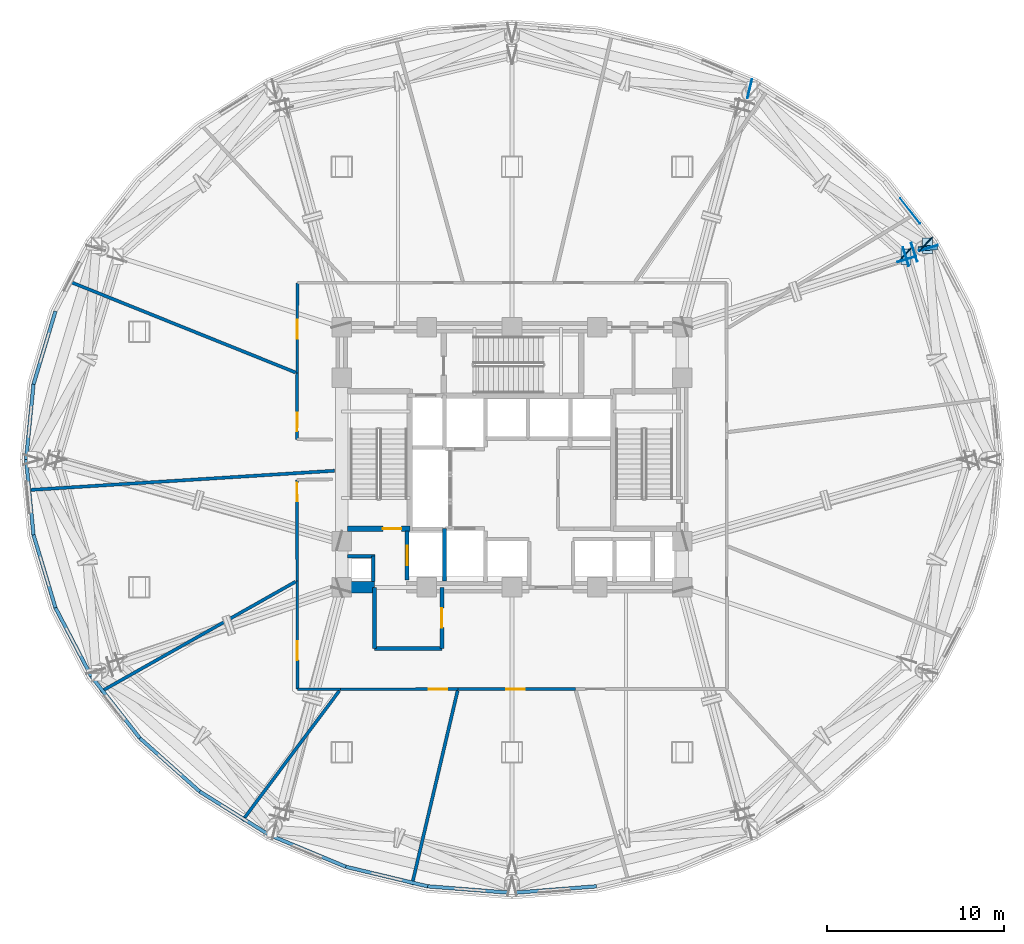
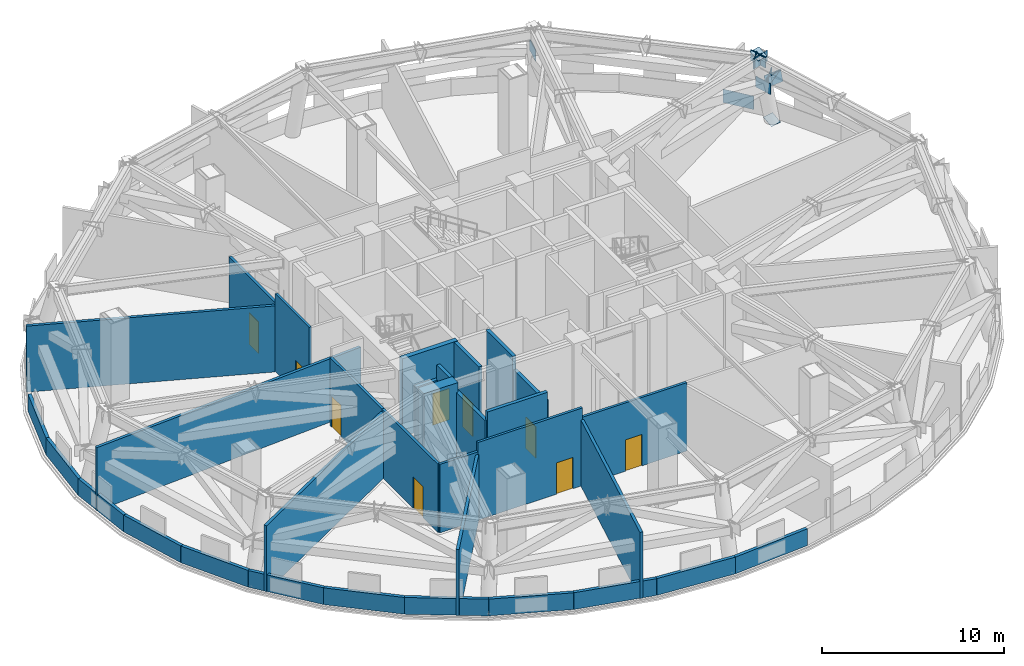
# One storey, part 6 of 14: 33 walls, 11 plates, 9 doors, 9 openings.
"""IFC4 building model written with IfcOpenShell, lengths in metres."""

from ifc_helpers import new_model, si_unit, direction, frame, frame_2d, origin, origin_2d, place, context, subcontext, project, spatial, polyline, rectangle, outline, extrude, material, layer, layer_set, type_object, element, fill, save


model = new_model("IFC4")

# Units and contexts
model_context = context("Model", 3, precision=1e-05, world=origin(), true_north=direction((0.0, 1.0)))
body_context = subcontext(model_context, "Body", "Model", "MODEL_VIEW")
ifc_project = project(units=[si_unit("LENGTHUNIT", "METRE"), si_unit("AREAUNIT", "SQUARE_METRE"), si_unit("VOLUMEUNIT", "CUBIC_METRE"), si_unit("PLANEANGLEUNIT", "RADIAN"), si_unit("MASSUNIT", "GRAM", prefix="KILO")], contexts=[model_context])

# Site, building, storey
site_placement = place(None, origin())
site = spatial("IfcSite", under=ifc_project, at=site_placement, CompositionType="ELEMENT")
building_placement = place(site_placement, origin())
building = spatial("IfcBuilding", under=site, at=building_placement, Name="Vantalir Tower", CompositionType="ELEMENT")
storey_placement = place(building_placement, frame((0.0, 0.0, 90.75)))
storey = spatial("IfcBuildingStorey", under=building, at=storey_placement, Name="L22", CompositionType="ELEMENT", Elevation=90.75)

# Plates
ifc_material_1 = material(Name="Steel S460", Category="steel")
ifc_layer_1 = layer(ifc_material_1, 0.044921875)
ifc_layer_set_1 = layer_set([ifc_layer_1], Name="Steel S460")
plate_type_1 = type_object("IfcPlateType", Name="PLT-BN-01", PredefinedType="USERDEFINED", material=ifc_layer_set_1)
for number, where, z_axis, x_axis, name in (
    (1, (54.965087890625, 36.9169921875, 2.4599609375), (0.0, 0.0, 1.0), (-0.288095989916, 0.957601535397, 0.0), "Node Cap Plate MEM-L22-BTCB-01 End"),
    (2, (53.7529296875, 36.2919921875, 4.56005859375), (0.0, 0.0, 1.0), (-0.288095989916, 0.957601535397, 0.0), "Node Cap Plate MEM-L22-BTCT-01 End"),
):
    element("IfcPlate", number, at=place(storey_placement, frame(where, z_axis=z_axis, x_axis=x_axis)), inside=storey, type_object=plate_type_1, Name=name, ObjectType="FLANGE_PLATE", PredefinedType="USERDEFINED", context=body_context, shape_type="SweptSolid", body=[
        extrude(rectangle(XDim=0.044921875, YDim=1.10009765625, at=origin_2d()), origin(), (0.0, 0.0, 1.0), 0.719970703125),
    ])
plate_1_placement = place(storey_placement, frame((54.398681640625, 36.739990234375, 2.52783203125), z_axis=(0.075545187489, -0.946474782726, 0.313812699409), x_axis=(0.996828791913, 0.079576116684, 3.5593745e-05)))
element("IfcPlate", 3, at=plate_1_placement, inside=storey, type_object=plate_type_1, Name="Node Cap Plate MEM-L22-BTDG-01B Start", ObjectType="FLANGE_PLATE", PredefinedType="USERDEFINED", context=body_context, shape_type="SweptSolid", body=[
    extrude(outline(polyline([(0.0, 0.0), (1.0999330884693599, 0.0), (1.100104069978027, 0.7199214944985355), (-5.295713274642987e-05, 0.7200039702137869), (0.0, 0.0)])), origin(), (0.0, 0.0, -1.0), 0.044921875),
])
for number, where, z_axis, x_axis, name in (
    (4, (54.824951171875, 37.135986328125, 2.4599609375), (0.0, 0.0, 1.0), (-0.746731058687, 0.665126097813, 0.0), "Node Cap Plate MEM-L22-BTCB-02 Start"),
    (5, (53.613037109375, 36.510986328125, 4.56005859375), (0.0, 0.0, 1.0), (-0.746765883584, 0.665086998155, 0.0), "Node Cap Plate MEM-L22-BTCT-02 Start"),
    (6, (44.89404296875, 45.89599609375, 2.4599609375), (0.0, 0.0, 1.0), (-0.972678718536, 0.232155358558, 0.0), "Node Cap Plate MEM-L22-BTCB-03 Start"),
    (7, (54.1650390625, 36.677978515625, 2.4599609375), (0.0, 0.0, 1.0), (0.95141722135, 0.307904645821, 0.0), "Node Cap Plate MEM-L22-ORCB-02 End"),
    (8, (53.693115234375, 36.43603515625, 4.56005859375), (0.0, 0.0, 1.0), (0.953385730985, 0.30175428407, 0.0), "Node Cap Plate MEM-L22-ORCT-02 End"),
):
    element("IfcPlate", number, at=place(storey_placement, frame(where, z_axis=z_axis, x_axis=x_axis)), inside=storey, type_object=plate_type_1, Name=name, ObjectType="FLANGE_PLATE", PredefinedType="USERDEFINED", context=body_context, shape_type="SweptSolid", body=[
        extrude(rectangle(XDim=0.044921875, YDim=1.10009765625, at=origin_2d()), origin(), (0.0, 0.0, 1.0), 0.719970703125),
    ])
ifc_layer_2 = layer(ifc_material_1, 0.035888671875)
ifc_layer_set_2 = layer_set([ifc_layer_2], Name="Steel S460")
plate_type_2 = type_object("IfcPlateType", Name="PLT-KN-Z2", PredefinedType="USERDEFINED", material=ifc_layer_set_2)
plate_2_placement = place(storey_placement, frame((53.425048828125, 36.8623046875, 5.234619140625), z_axis=(-0.224659802604, -0.115705110532, 0.967543435971), x_axis=(0.0, -0.992925328274, -0.118740441604)))
element("IfcPlate", 9, at=plate_2_placement, inside=storey, type_object=plate_type_2, Name="L22 Ring Column Top Cap RC02", ObjectType="FLANGE_PLATE", PredefinedType="USERDEFINED", context=body_context, shape_type="SweptSolid", body=[
    extrude(outline(polyline([(0.0, 0.0), (0.8800050436764012, 0.0), (0.8799127247386717, 0.5800122493759312), (-9.231893772955815e-05, 0.5800122493759311), (0.0, 0.0)])), origin(), (0.0, 0.0, -1.0), 0.035888671875),
])
plate_3_placement = place(storey_placement, frame((54.631591796875, 37.484375, 0.038818359375), z_axis=(-0.224683532148, -0.115720399506, 0.96753609727), x_axis=(-3.607661e-06, -0.992923273285, -0.118757624413)))
element("IfcPlate", 10, at=plate_3_placement, inside=storey, type_object=plate_type_2, Name="L22 Ring Column Base Cap RC02", ObjectType="FLANGE_PLATE", PredefinedType="USERDEFINED", context=body_context, shape_type="SweptSolid", body=[
    extrude(outline(polyline([(0.0, 0.0), (0.8797626306303892, -3.469446951953614e-18), (0.8799084306344302, 0.580018763732359), (-9.661290447560145e-05, 0.5800122485045601), (0.0, 0.0)])), origin(), (0.0, 0.0, -1.0), 0.035888671875),
])
ifc_material_2 = material(Name="Champagne-silver PVDF aluminium cassette", Category="aluminium")
ifc_layer_3 = layer(ifc_material_2, 0.02392578125)
ifc_layer_set_3 = layer_set([ifc_layer_3], Name="Champagne-silver PVDF aluminium cassette")
plate_type_3 = type_object("IfcPlateType", Name="PLT-SC-01", PredefinedType="SHEET", material=ifc_layer_set_3)
plate_4_placement = place(storey_placement, frame((53.93505859375, 39.012939453125, 0.10009765625), z_axis=(0.0, 0.0, 1.0), x_axis=(-0.617571381834, 0.786514836694, 0.0)))
element("IfcPlate", 11, at=plate_4_placement, inside=storey, type_object=plate_type_3, Name="L22 PVDF Aluminium Spandrel Cassette R04", PredefinedType="SHEET", context=body_context, shape_type="SweptSolid", body=[
    extrude(rectangle(XDim=1.800048828125, YDim=0.02392578125, at=origin_2d()), origin(), (0.0, 0.0, 1.0), 0.89990234375),
])

# Wall
ifc_material_3 = material(Name="Concrete C60/75", Category="concrete")
ifc_layer_4 = layer(ifc_material_3, 0.64990234375)
ifc_layer_set_4 = layer_set([ifc_layer_4], Name="Concrete C60/75")
wall_type_1 = type_object("IfcWallType", Name="WL-CORE-650", PredefinedType="SHEAR", material=ifc_layer_set_4)
wall_1_placement = place(storey_placement, frame((21.574951171875, 17.800048828125, 0.0), z_axis=(0.0, 0.0, 1.0), x_axis=(1.0, 0.0, 0.0)))
element("IfcWall", 12, at=wall_1_placement, inside=storey, type_object=wall_type_1, Name="L22 Core Shear Wall South-West", PredefinedType="SHEAR", context=body_context, shape_type="SweptSolid", body=[
    extrude(rectangle(XDim=2.175048828125, YDim=0.64990234375, at=frame_2d((1.08740234375, 0.0))), origin(), (0.0, 0.0, 1.0), 5.219970703125),
])

# Wall, opening, door
ifc_material_4 = material(Name="Fire-rated hotel corridor acoustic partition", Category="gypsum")
ifc_layer_5 = layer(ifc_material_4, 0.159912109375)
ifc_layer_set_5 = layer_set([ifc_layer_5], Name="Fire-rated hotel corridor acoustic partition")
wall_type_2 = type_object("IfcWallType", Name="WL-CORR-160", PredefinedType="PARTITIONING", material=ifc_layer_set_5)
wall_2_placement = place(storey_placement, frame((19.385986328125, 26.14208984375, 0.0), z_axis=(0.0, 0.0, 1.0), x_axis=(0.002161803006, 0.999997663301, 0.0)))
wall_2 = element("IfcWall", 13, at=wall_2_placement, inside=storey, type_object=wall_type_2, Name="L22 Corridor Partition 02", PredefinedType="PARTITIONING", context=body_context, shape_type="SweptSolid", body=[
    extrude(rectangle(XDim=3.726806640625, YDim=0.159912109375, at=frame_2d((1.86328125, 0.0))), origin(), (0.0, 0.0, 1.0), 5.199951171875),
])
opening_1_placement = place(wall_2_placement, frame((0.455078125, 0.0, 0.0)))
opening_1 = element("IfcOpeningElement", 14, at=opening_1_placement, cuts=wall_2, Name="Opening D-ST", PredefinedType="OPENING", context=body_context, shape_type="SweptSolid", body=[
    extrude(rectangle(XDim=1.050048828125, YDim=2.10009765625, at=frame_2d((0.52490234375, 1.050048828125))), frame((0.0, 0.08984375, 0.0), z_axis=(0.0, -1.0, 0.0), x_axis=(1.0, 0.0, 0.0)), (0.0, 0.0, 1.0), 0.179931640625),
])
ifc_material_5 = material(Name="Fire-rated steel door leaf", Category="steel")
door_type_1 = type_object("IfcDoorType", Name="DR-FIRE-STAIR-1050", OperationType="NOTDEFINED", PredefinedType="DOOR", material=ifc_material_5)
door_1_placement = place(opening_1_placement, origin())
door_1 = element("IfcDoor", 15, at=door_1_placement, inside=storey, type_object=door_type_1, Name="L22 Domestic Cold Water Booster Plant Room Door", OperationType="SINGLE_SWING_RIGHT", OverallHeight=2.10009765625, OverallWidth=1.050048828125, PredefinedType="DOOR", context=body_context, shape_type="SweptSolid", body=[
    extrude(rectangle(XDim=1.050048828125, YDim=2.10009765625, at=frame_2d((0.52490234375, 1.050048828125))), frame((0.0, 0.02490234375, 0.0), z_axis=(0.0, -1.0, 0.0), x_axis=(1.0, 0.0, 0.0)), (0.0, 0.0, 1.0), 0.050048828125),
])
fill(opening_1, door_1)

wall_3_placement = place(storey_placement, frame((19.39404296875, 29.868896484375, 0.0), z_axis=(0.0, 0.0, 1.0), x_axis=(0.002349775319, 0.999997239274, 0.0)))
wall_3 = element("IfcWall", 16, at=wall_3_placement, inside=storey, type_object=wall_type_2, Name="L22 Corridor Partition 03", PredefinedType="PARTITIONING", context=body_context, shape_type="SweptSolid", body=[
    extrude(rectangle(XDim=5.091064453125, YDim=0.159912109375, at=frame_2d((2.54541015625, 0.0))), origin(), (0.0, 0.0, 1.0), 4.577880859375),
])
opening_2_placement = place(wall_3_placement, frame((1.946044921875, 0.0, 0.0)))
opening_2 = element("IfcOpeningElement", 17, at=opening_2_placement, cuts=wall_3, Name="Opening D-ST", PredefinedType="OPENING", context=body_context, shape_type="SweptSolid", body=[
    extrude(rectangle(XDim=1.050048828125, YDim=2.10009765625, at=frame_2d((0.52490234375, 1.050048828125))), frame((0.0, 0.08984375, 0.0), z_axis=(0.0, -1.0, 0.0), x_axis=(1.0, 0.0, 0.0)), (0.0, 0.0, 1.0), 0.179931640625),
])
door_2_placement = place(opening_2_placement, origin())
door_2 = element("IfcDoor", 18, at=door_2_placement, inside=storey, type_object=door_type_1, Name="L22 Fire Sprinkler Transfer Pump Plant Room Door", OperationType="SINGLE_SWING_LEFT", OverallHeight=2.10009765625, OverallWidth=1.050048828125, PredefinedType="DOOR", context=body_context, shape_type="SweptSolid", body=[
    extrude(rectangle(XDim=1.050048828125, YDim=2.10009765625, at=frame_2d((0.52490234375, 1.050048828125))), frame((0.0, 0.02490234375, 0.0), z_axis=(0.0, -1.0, 0.0), x_axis=(1.0, 0.0, 0.0)), (0.0, 0.0, 1.0), 0.050048828125),
])
fill(opening_2, door_2)

wall_4_placement = place(storey_placement, frame((35.070068359375, 12.06494140625, 0.0), z_axis=(0.0, 0.0, 1.0), x_axis=(-0.999999825595, -0.000590601942, 0.0)))
wall_4 = element("IfcWall", 19, at=wall_4_placement, inside=storey, type_object=wall_type_2, Name="L22 Corridor Partition 14", PredefinedType="PARTITIONING", context=body_context, shape_type="SweptSolid", body=[
    extrude(rectangle(XDim=6.614013671875, YDim=0.159912109375, at=frame_2d((3.30712890625, 0.0))), origin(), (0.0, 0.0, 1.0), 4.577880859375),
])
opening_3_placement = place(wall_4_placement, frame((2.85693359375, 0.0, 0.0)))
opening_3 = element("IfcOpeningElement", 20, at=opening_3_placement, cuts=wall_4, Name="Opening D-ST", PredefinedType="OPENING", context=body_context, shape_type="SweptSolid", body=[
    extrude(rectangle(XDim=1.050048828125, YDim=2.10009765625, at=frame_2d((0.52490234375, 1.050048828125))), frame((0.0, 0.08984375, 0.0), z_axis=(0.0, -1.0, 0.0), x_axis=(1.0, 0.0, 0.0)), (0.0, 0.0, 1.0), 0.179931640625),
])
door_3_placement = place(opening_3_placement, origin())
door_3 = element("IfcDoor", 21, at=door_3_placement, inside=storey, type_object=door_type_1, Name="L22 Refuge Area South Door", OperationType="SINGLE_SWING_RIGHT", OverallHeight=2.10009765625, OverallWidth=1.050048828125, PredefinedType="DOOR", context=body_context, shape_type="SweptSolid", body=[
    extrude(rectangle(XDim=1.050048828125, YDim=2.10009765625, at=frame_2d((0.52490234375, 1.050048828125))), frame((0.0, 0.02490234375, 0.0), z_axis=(0.0, -1.0, 0.0), x_axis=(1.0, 0.0, 0.0)), (0.0, 0.0, 1.0), 0.050048828125),
])
fill(opening_3, door_3)

wall_5_placement = place(storey_placement, frame((28.4560546875, 12.06103515625, 0.0), z_axis=(0.0, 0.0, 1.0), x_axis=(-0.999999700113, -0.000774450277, 0.0)))
wall_5 = element("IfcWall", 22, at=wall_5_placement, inside=storey, type_object=wall_type_2, Name="L22 Corridor Partition 15", PredefinedType="PARTITIONING", context=body_context, shape_type="SweptSolid", body=[
    extrude(rectangle(XDim=6.6201171875, YDim=0.159912109375, at=frame_2d((3.31005859375, 0.0))), origin(), (0.0, 0.0, 1.0), 5.199951171875),
])
opening_4_placement = place(wall_5_placement, frame((0.597900390625, 0.0, 0.0)))
opening_4 = element("IfcOpeningElement", 23, at=opening_4_placement, cuts=wall_5, Name="Opening D-ST", PredefinedType="OPENING", context=body_context, shape_type="SweptSolid", body=[
    extrude(rectangle(XDim=1.050048828125, YDim=2.10009765625, at=frame_2d((0.52490234375, 1.050048828125))), frame((0.0, 0.08984375, 0.0), z_axis=(0.0, -1.0, 0.0), x_axis=(1.0, 0.0, 0.0)), (0.0, 0.0, 1.0), 0.179931640625),
])
door_4_placement = place(opening_4_placement, origin())
door_4 = element("IfcDoor", 24, at=door_4_placement, inside=storey, type_object=door_type_1, Name="L22 Emergency UPS Battery Plant Room Door", OperationType="SINGLE_SWING_LEFT", OverallHeight=2.10009765625, OverallWidth=1.050048828125, PredefinedType="DOOR", context=body_context, shape_type="SweptSolid", body=[
    extrude(rectangle(XDim=1.050048828125, YDim=2.10009765625, at=frame_2d((0.52490234375, 1.050048828125))), frame((0.0, 0.02490234375, 0.0), z_axis=(0.0, -1.0, 0.0), x_axis=(1.0, 0.0, 0.0)), (0.0, 0.0, 1.0), 0.050048828125),
])
fill(opening_4, door_4)

# Wall
wall_6_placement = place(storey_placement, frame((21.8359375, 12.055908203125, 0.0), z_axis=(0.0, 0.0, 1.0), x_axis=(-0.999999919243, -0.000401888845, 0.0)))
element("IfcWall", 25, at=wall_6_placement, inside=storey, type_object=wall_type_2, Name="L22 Corridor Partition 16", PredefinedType="PARTITIONING", context=body_context, shape_type="SweptSolid", body=[
    extrude(rectangle(XDim=2.429931640625, YDim=0.159912109375, at=frame_2d((1.21484375, 0.0))), origin(), (0.0, 0.0, 1.0), 4.577880859375),
])

# Wall, opening, door
wall_7_placement = place(storey_placement, frame((19.406005859375, 12.054931640625, 0.0), z_axis=(0.0, 0.0, 1.0), x_axis=(-0.001637705014, 0.99999865896, 0.0)))
wall_7 = element("IfcWall", 26, at=wall_7_placement, inside=storey, type_object=wall_type_2, Name="L22 Corridor Partition 17", PredefinedType="PARTITIONING", context=body_context, shape_type="SweptSolid", body=[
    extrude(rectangle(XDim=6.112060546875, YDim=0.159912109375, at=frame_2d((3.05615234375, 0.0))), origin(), (0.0, 0.0, 1.0), 4.577880859375),
])
opening_5_placement = place(wall_7_placement, frame((1.64208984375, 0.0, 0.0)))
opening_5 = element("IfcOpeningElement", 27, at=opening_5_placement, cuts=wall_7, Name="Opening D-ST", PredefinedType="OPENING", context=body_context, shape_type="SweptSolid", body=[
    extrude(rectangle(XDim=1.050048828125, YDim=2.10009765625, at=frame_2d((0.52490234375, 1.050048828125))), frame((0.0, 0.08984375, 0.0), z_axis=(0.0, -1.0, 0.0), x_axis=(1.0, 0.0, 0.0)), (0.0, 0.0, 1.0), 0.179931640625),
])
door_5_placement = place(opening_5_placement, origin())
door_5 = element("IfcDoor", 28, at=door_5_placement, inside=storey, type_object=door_type_1, Name="L22 HV Transformer Electrical Plant Room Door", OperationType="SINGLE_SWING_RIGHT", OverallHeight=2.10009765625, OverallWidth=1.050048828125, PredefinedType="DOOR", context=body_context, shape_type="SweptSolid", body=[
    extrude(rectangle(XDim=1.050048828125, YDim=2.10009765625, at=frame_2d((0.52490234375, 1.050048828125))), frame((0.0, 0.02490234375, 0.0), z_axis=(0.0, -1.0, 0.0), x_axis=(1.0, 0.0, 0.0)), (0.0, 0.0, 1.0), 0.050048828125),
])
fill(opening_5, door_5)

wall_8_placement = place(storey_placement, frame((19.39599609375, 18.1669921875, 0.0), z_axis=(0.0, 0.0, 1.0), x_axis=(-0.001758899038, 0.999998453136, 0.0)))
wall_8 = element("IfcWall", 29, at=wall_8_placement, inside=storey, type_object=wall_type_2, Name="L22 Corridor Partition 18", PredefinedType="PARTITIONING", context=body_context, shape_type="SweptSolid", body=[
    extrude(rectangle(XDim=5.69091796875, YDim=0.159912109375, at=frame_2d((2.845458984375, 0.0))), origin(), (0.0, 0.0, 1.0), 4.577880859375),
])
opening_6_placement = place(wall_8_placement, frame((4.48095703125, 0.0, 0.0)))
opening_6 = element("IfcOpeningElement", 30, at=opening_6_placement, cuts=wall_8, Name="Opening D-ST", PredefinedType="OPENING", context=body_context, shape_type="SweptSolid", body=[
    extrude(rectangle(XDim=1.050048828125, YDim=2.10009765625, at=frame_2d((0.52490234375, 1.050048828125))), frame((0.0, 0.08984375, 0.0), z_axis=(0.0, -1.0, 0.0), x_axis=(1.0, 0.0, 0.0)), (0.0, 0.0, 1.0), 0.179931640625),
])
door_6_placement = place(opening_6_placement, origin())
door_6 = element("IfcDoor", 31, at=door_6_placement, inside=storey, type_object=door_type_1, Name="L22 West Air Handling Plant Room Door", OperationType="SINGLE_SWING_LEFT", OverallHeight=2.10009765625, OverallWidth=1.050048828125, PredefinedType="DOOR", context=body_context, shape_type="SweptSolid", body=[
    extrude(rectangle(XDim=1.050048828125, YDim=2.10009765625, at=frame_2d((0.52490234375, 1.050048828125))), frame((0.0, 0.02490234375, 0.0), z_axis=(0.0, -1.0, 0.0), x_axis=(1.0, 0.0, 0.0)), (0.0, 0.0, 1.0), 0.050048828125),
])
fill(opening_6, door_6)

# Walls
ifc_material_6 = material(Name="Concrete blockwork with fireboard lining", Category="masonry")
ifc_layer_6 = layer(ifc_material_6, 0.219970703125)
ifc_layer_set_6 = layer_set([ifc_layer_6], Name="Concrete blockwork with fireboard lining")
wall_type_3 = type_object("IfcWallType", Name="WL-FFL-220", PredefinedType="PARTITIONING", material=ifc_layer_set_6)
wall_9_placement = place(storey_placement, frame((23.679931640625, 18.125, 0.0), z_axis=(0.0, 0.0, 1.0), x_axis=(0.0, 1.0, 0.0)))
element("IfcWall", 32, at=wall_9_placement, inside=storey, type_object=wall_type_3, Name="L22 West MEP Riser Wall E", PredefinedType="PARTITIONING", context=body_context, shape_type="SweptSolid", body=[
    extrude(rectangle(XDim=1.425048828125, YDim=0.219970703125, at=frame_2d((0.71240234375, 0.0))), origin(), (0.0, 0.0, 1.0), 5.199951171875),
])
wall_10_placement = place(storey_placement, frame((22.22509765625, 19.550048828125, 0.0), z_axis=(0.0, 0.0, 1.0), x_axis=(1.0, 0.0, 0.0)))
element("IfcWall", 33, at=wall_10_placement, inside=storey, type_object=wall_type_3, Name="L22 West MEP Riser Wall N", PredefinedType="PARTITIONING", context=body_context, shape_type="SweptSolid", body=[
    extrude(rectangle(XDim=1.56494140625, YDim=0.219970703125, at=frame_2d((0.782470703125, 0.0))), origin(), (0.0, 0.0, 1.0), 4.2451171875),
])

# Wall, opening, door
wall_11_placement = place(storey_placement, frame((25.590087890625, 18.219970703125, 0.0), z_axis=(0.0, 0.0, 1.0), x_axis=(0.0, 1.0, 0.0)))
wall_11 = element("IfcWall", 34, at=wall_11_placement, inside=storey, type_object=wall_type_3, Name="L22 Lift FL1 Shaft Front Wall", PredefinedType="PARTITIONING", context=body_context, shape_type="SweptSolid", body=[
    extrude(rectangle(XDim=2.760009765625, YDim=0.219970703125, at=frame_2d((1.3798828125, 0.0))), origin(), (0.0, 0.0, 1.0), 5.199951171875),
])
opening_7_placement = place(wall_11_placement, frame((0.830078125, 0.0, 0.0)))
opening_7 = element("IfcOpeningElement", 35, at=opening_7_placement, cuts=wall_11, Name="Opening LD-FL1", PredefinedType="OPENING", context=body_context, shape_type="SweptSolid", body=[
    extrude(rectangle(XDim=1.10009765625, YDim=2.199951171875, at=frame_2d((0.550048828125, 1.10009765625))), frame((0.0, 0.119873046875, 0.0), z_axis=(0.0, -1.0, 0.0), x_axis=(1.0, 0.0, 0.0)), (0.0, 0.0, 1.0), 0.239990234375),
])
ifc_material_7 = material(Name="Brushed stainless-steel sliding lift landing door", Category="steel")
door_type_2 = type_object("IfcDoorType", Name="DR-LIFT-LANDING-1100", OperationType="DOUBLE_DOOR_SLIDING", PredefinedType="DOOR", material=ifc_material_7)
door_7_placement = place(opening_7_placement, origin())
door_7 = element("IfcDoor", 36, at=door_7_placement, inside=storey, type_object=door_type_2, Name="L22 Lift Landing Door FL1", OperationType="DOUBLE_DOOR_SLIDING", OverallHeight=2.199951171875, OverallWidth=1.10009765625, PredefinedType="DOOR", context=body_context, shape_type="SweptSolid", body=[
    extrude(rectangle(XDim=1.10009765625, YDim=2.199951171875, at=frame_2d((0.550048828125, 1.10009765625))), frame((0.0, 0.02490234375, 0.0), z_axis=(0.0, -1.0, 0.0), x_axis=(1.0, 0.0, 0.0)), (0.0, 0.0, 1.0), 0.050048828125),
])
fill(opening_7, door_7)

# Walls
wall_12_placement = place(storey_placement, frame((27.699951171875, 18.14990234375, 0.0), z_axis=(0.0, 0.0, 1.0), x_axis=(0.0, 1.0, 0.0)))
element("IfcWall", 37, at=wall_12_placement, inside=storey, type_object=wall_type_3, Name="L22 Fire Lift FL1 Dividing Wall", PredefinedType="PARTITIONING", context=body_context, shape_type="SweptSolid", body=[
    extrude(rectangle(XDim=2.9501953125, YDim=0.219970703125, at=frame_2d((1.47509765625, 0.0))), origin(), (0.0, 0.0, 1.0), 5.199951171875),
])
wall_13_placement = place(storey_placement, frame((23.75, 14.35009765625, 0.0), z_axis=(0.0, 0.0, 1.0), x_axis=(0.0, 1.0, 0.0)))
element("IfcWall", 38, at=wall_13_placement, inside=storey, type_object=wall_type_3, Name="L22 Firefighting Lobby West Outer W", PredefinedType="PARTITIONING", context=body_context, shape_type="SweptSolid", body=[
    extrude(rectangle(XDim=3.449951171875, YDim=0.219970703125, at=frame_2d((1.72509765625, 0.0))), origin(), (0.0, 0.0, 1.0), 4.577880859375),
])
wall_14_placement = place(storey_placement, frame((23.75, 14.35009765625, 0.0), z_axis=(0.0, 0.0, 1.0), x_axis=(1.0, 0.0, 0.0)))
element("IfcWall", 39, at=wall_14_placement, inside=storey, type_object=wall_type_3, Name="L22 Firefighting Lobby West South Wall", PredefinedType="PARTITIONING", context=body_context, shape_type="SweptSolid", body=[
    extrude(rectangle(XDim=3.800048828125, YDim=0.219970703125, at=frame_2d((1.89990234375, 0.0))), origin(), (0.0, 0.0, 1.0), 5.199951171875),
])

# Wall, opening, door
wall_15_placement = place(storey_placement, frame((27.550048828125, 14.35009765625, 0.0), z_axis=(0.0, 0.0, 1.0), x_axis=(0.0, 1.0, 0.0)))
wall_15 = element("IfcWall", 40, at=wall_15_placement, inside=storey, type_object=wall_type_3, Name="L22 Firefighting Lobby West East Wall", PredefinedType="PARTITIONING", context=body_context, shape_type="SweptSolid", body=[
    extrude(rectangle(XDim=3.449951171875, YDim=0.219970703125, at=frame_2d((1.72509765625, 0.0))), origin(), (0.0, 0.0, 1.0), 4.577880859375),
])
opening_8_placement = place(wall_15_placement, frame((1.175048828125, 0.0, 0.0)))
opening_8 = element("IfcOpeningElement", 41, at=opening_8_placement, cuts=wall_15, Name="Opening D-FFL", PredefinedType="OPENING", context=body_context, shape_type="SweptSolid", body=[
    extrude(rectangle(XDim=1.10009765625, YDim=2.10009765625, at=frame_2d((0.550048828125, 1.050048828125))), frame((0.0, 0.119873046875, 0.0), z_axis=(0.0, -1.0, 0.0), x_axis=(1.0, 0.0, 0.0)), (0.0, 0.0, 1.0), 0.239990234375),
])
ifc_material_8 = material(Name="Fire-rated acoustic steel door", Category="steel")
door_type_3 = type_object("IfcDoorType", Name="DR-FIRE-LOBBY-1100", OperationType="NOTDEFINED", PredefinedType="DOOR", material=ifc_material_8)
door_8_placement = place(opening_8_placement, origin())
door_8 = element("IfcDoor", 42, at=door_8_placement, inside=storey, type_object=door_type_3, Name="L22 Firefighting Lobby West Access Door", OperationType="SINGLE_SWING_LEFT", OverallHeight=2.10009765625, OverallWidth=1.10009765625, PredefinedType="DOOR", context=body_context, shape_type="SweptSolid", body=[
    extrude(rectangle(XDim=1.10009765625, YDim=2.10009765625, at=frame_2d((0.550048828125, 1.050048828125))), frame((0.0, 0.02490234375, 0.0), z_axis=(0.0, -1.0, 0.0), x_axis=(1.0, 0.0, 0.0)), (0.0, 0.0, 1.0), 0.050048828125),
])
fill(opening_8, door_8)

# Walls
ifc_material_9 = material(Name="Twin-stud acoustic fire-rated gypsum partition", Category="gypsum")
ifc_layer_7 = layer(ifc_material_9, 0.179931640625)
ifc_layer_set_7 = layer_set([ifc_layer_7], Name="Twin-stud acoustic fire-rated gypsum partition")
wall_type_4 = type_object("IfcWallType", Name="WL-GUEST-180", PredefinedType="PARTITIONING", material=ifc_layer_set_7)
wall_16_placement = place(storey_placement, frame((19.31005859375, 29.903076171875, 0.0), z_axis=(0.0, 0.0, 1.0), x_axis=(-0.927784907808, 0.373115484593, 0.0)))
element("IfcWall", 43, at=wall_16_placement, inside=storey, type_object=wall_type_4, Name="L22 Radial Suite Partition 07", PredefinedType="PARTITIONING", context=body_context, shape_type="SweptSolid", body=[
    extrude(rectangle(XDim=13.783447265625, YDim=0.179931640625, at=frame_2d((6.8916015625, 0.0))), origin(), (0.0, 0.0, 1.0), 4.425048828125),
])
wall_17_placement = place(storey_placement, frame((21.5, 24.367919921875, 0.0), z_axis=(0.0, 0.0, 1.0), x_axis=(-0.998013432527, -0.063001495987, 0.0)))
element("IfcWall", 44, at=wall_17_placement, inside=storey, type_object=wall_type_4, Name="L22 Radial Suite Partition 08", PredefinedType="PARTITIONING", context=body_context, shape_type="SweptSolid", body=[
    extrude(rectangle(XDim=17.364501953125, YDim=0.179931640625, at=frame_2d((8.68212890625, 0.0))), origin(), (0.0, 0.0, 1.0), 4.2451171875),
])
wall_18_placement = place(storey_placement, frame((19.31005859375, 18.118896484375, 0.0), z_axis=(0.0, 0.0, 1.0), x_axis=(-0.870807073376, -0.491624898635, 0.0)))
element("IfcWall", 45, at=wall_18_placement, inside=storey, type_object=wall_type_4, Name="L22 Radial Suite Partition 09", PredefinedType="PARTITIONING", context=body_context, shape_type="SweptSolid", body=[
    extrude(rectangle(XDim=12.6171875, YDim=0.179931640625, at=frame_2d((6.30859375, 0.0))), origin(), (0.0, 0.0, 1.0), 4.425048828125),
])
wall_19_placement = place(storey_placement, frame((21.77490234375, 11.97509765625, 0.0), z_axis=(0.0, 0.0, 1.0), x_axis=(-0.598272545113, -0.801292681711, 0.0)))
element("IfcWall", 46, at=wall_19_placement, inside=storey, type_object=wall_type_4, Name="L22 Radial Suite Partition 10", PredefinedType="PARTITIONING", context=body_context, shape_type="SweptSolid", body=[
    extrude(rectangle(XDim=9.142822265625, YDim=0.179931640625, at=frame_2d((4.5712890625, 0.0))), origin(), (0.0, 0.0, 1.0), 4.425048828125),
])
wall_20_placement = place(storey_placement, frame((28.43505859375, 11.97509765625, 0.0), z_axis=(0.0, 0.0, 1.0), x_axis=(-0.228960624078, -0.973435684892, 0.0)))
element("IfcWall", 47, at=wall_20_placement, inside=storey, type_object=wall_type_4, Name="L22 Radial Suite Partition 11", PredefinedType="PARTITIONING", context=body_context, shape_type="SweptSolid", body=[
    extrude(rectangle(XDim=11.23779296875, YDim=0.179931640625, at=frame_2d((5.618896484375, 0.0))), origin(), (0.0, 0.0, 1.0), 4.425048828125),
])
ifc_material_10 = material(Name="Concrete C40/50 parapet upstand", Category="concrete")
ifc_layer_8 = layer(ifc_material_10, 0.199951171875)
ifc_layer_set_8 = layer_set([ifc_layer_8], Name="Concrete C40/50 parapet upstand")
wall_type_5 = type_object("IfcWallType", Name="WL-PARA-200", PredefinedType="PARAPET", material=ifc_layer_set_8)
wall_21_placement = place(storey_placement, frame((5.77099609375, 33.35302734375, 0.0), z_axis=(0.0, 0.0, 1.0), x_axis=(-0.287666089602, -0.957730766391, 0.0)))
element("IfcWall", 48, at=wall_21_placement, inside=storey, type_object=wall_type_5, Name="L22 Refuge Perimeter Parapet R17", PredefinedType="PARAPET", context=body_context, shape_type="SweptSolid", body=[
    extrude(rectangle(XDim=4.29345703125, YDim=0.199951171875, at=frame_2d((2.146728515625, 0.0))), origin(), (0.0, 0.0, 1.0), 1.1201171875),
])
for number, where, z_axis, x_axis, name in (
    (49, (4.535888671875, 29.240966796875, 0.0), (0.0, 0.0, 1.0), (-0.097569198654, -0.995228743292, 0.0), "L22 Refuge Perimeter Parapet R18"),
    (50, (4.1201171875, 25.0, 0.0), (0.0, 0.0, 1.0), (0.097569198654, -0.995228743292, 0.0), "L22 Refuge Perimeter Parapet R19"),
):
    element("IfcWall", number, at=place(storey_placement, frame(where, z_axis=z_axis, x_axis=x_axis)), inside=storey, type_object=wall_type_5, Name=name, PredefinedType="PARAPET", context=body_context, shape_type="SweptSolid", body=[
        extrude(rectangle(XDim=4.26123046875, YDim=0.199951171875, at=frame_2d((2.130615234375, 0.0))), origin(), (0.0, 0.0, 1.0), 1.1201171875),
    ])
wall_22_placement = place(storey_placement, frame((4.535888671875, 20.759033203125, 0.0), z_axis=(0.0, 0.0, 1.0), x_axis=(0.287666089602, -0.957730766391, 0.0)))
element("IfcWall", 51, at=wall_22_placement, inside=storey, type_object=wall_type_5, Name="L22 Refuge Perimeter Parapet R20", PredefinedType="PARAPET", context=body_context, shape_type="SweptSolid", body=[
    extrude(rectangle(XDim=4.29345703125, YDim=0.199951171875, at=frame_2d((2.146728515625, 0.0))), origin(), (0.0, 0.0, 1.0), 1.1201171875),
])
wall_23_placement = place(storey_placement, frame((5.77099609375, 16.64697265625, 0.0), z_axis=(0.0, 0.0, 1.0), x_axis=(0.463244201009, -0.88623067552, 0.0)))
element("IfcWall", 52, at=wall_23_placement, inside=storey, type_object=wall_type_5, Name="L22 Refuge Perimeter Parapet R21", PredefinedType="PARAPET", context=body_context, shape_type="SweptSolid", body=[
    extrude(rectangle(XDim=4.354248046875, YDim=0.199951171875, at=frame_2d((2.17724609375, 0.0))), origin(), (0.0, 0.0, 1.0), 1.1201171875),
])
wall_24_placement = place(storey_placement, frame((7.7880859375, 12.7880859375, 0.0), z_axis=(0.0, 0.0, 1.0), x_axis=(0.617536962494, -0.786541861539, 0.0)))
element("IfcWall", 53, at=wall_24_placement, inside=storey, type_object=wall_type_5, Name="L22 Refuge Perimeter Parapet R22", PredefinedType="PARAPET", context=body_context, shape_type="SweptSolid", body=[
    extrude(rectangle(XDim=4.433349609375, YDim=0.199951171875, at=frame_2d((2.216796875, 0.0))), origin(), (0.0, 0.0, 1.0), 1.1201171875),
])
wall_25_placement = place(storey_placement, frame((10.52587890625, 9.301025390625, 0.0), z_axis=(0.0, 0.0, 1.0), x_axis=(0.746213513414, -0.66570668646, 0.0)))
element("IfcWall", 54, at=wall_25_placement, inside=storey, type_object=wall_type_5, Name="L22 Refuge Perimeter Parapet R23", PredefinedType="PARAPET", context=body_context, shape_type="SweptSolid", body=[
    extrude(rectangle(XDim=4.521484375, YDim=0.199951171875, at=frame_2d((2.2607421875, 0.0))), origin(), (0.0, 0.0, 1.0), 1.1201171875),
])
wall_26_placement = place(storey_placement, frame((13.89990234375, 6.291015625, 0.0), z_axis=(0.0, 0.0, 1.0), x_axis=(0.848188663057, -0.52969424375, 0.0)))
element("IfcWall", 55, at=wall_26_placement, inside=storey, type_object=wall_type_5, Name="L22 Refuge Perimeter Parapet R24", PredefinedType="PARAPET", context=body_context, shape_type="SweptSolid", body=[
    extrude(rectangle(XDim=4.610107421875, YDim=0.199951171875, at=frame_2d((2.30517578125, 0.0))), origin(), (0.0, 0.0, 1.0), 1.1201171875),
])
wall_27_placement = place(storey_placement, frame((17.81005859375, 3.84912109375, 0.0), z_axis=(0.0, 0.0, 1.0), x_axis=(0.923303437926, -0.384071297436, 0.0)))
element("IfcWall", 56, at=wall_27_placement, inside=storey, type_object=wall_type_5, Name="L22 Refuge Perimeter Parapet R25", PredefinedType="PARAPET", context=body_context, shape_type="SweptSolid", body=[
    extrude(rectangle(XDim=4.684326171875, YDim=0.199951171875, at=frame_2d((2.34228515625, 0.0))), origin(), (0.0, 0.0, 1.0), 1.1201171875),
])
wall_28_placement = place(storey_placement, frame((22.135009765625, 2.050048828125, 0.0), z_axis=(0.0, 0.0, 1.0), x_axis=(0.972607498373, -0.232453552584, 0.0)))
element("IfcWall", 57, at=wall_28_placement, inside=storey, type_object=wall_type_5, Name="L22 Refuge Perimeter Parapet R26", PredefinedType="PARAPET", context=body_context, shape_type="SweptSolid", body=[
    extrude(rectangle(XDim=4.740966796875, YDim=0.199951171875, at=frame_2d((2.37060546875, 0.0))), origin(), (0.0, 0.0, 1.0), 1.1201171875),
])
for number, where, z_axis, x_axis, name in (
    (58, (26.74609375, 0.947998046875, 0.0), (0.0, 0.0, 1.0), (0.996967108991, -0.077824055344, 0.0), "L22 Refuge Perimeter Parapet R27"),
    (59, (31.5, 0.576904296875, 0.0), (0.0, 0.0, 1.0), (0.996967108991, 0.077824055344, 0.0), "L22 Refuge Perimeter Parapet R28"),
):
    element("IfcWall", number, at=place(storey_placement, frame(where, z_axis=z_axis, x_axis=x_axis)), inside=storey, type_object=wall_type_5, Name=name, PredefinedType="PARAPET", context=body_context, shape_type="SweptSolid", body=[
        extrude(rectangle(XDim=4.768310546875, YDim=0.199951171875, at=frame_2d((2.38427734375, 0.0))), origin(), (0.0, 0.0, 1.0), 1.1201171875),
    ])

# Wall, opening, door
ifc_material_11 = material(Name="Concrete C50/60", Category="concrete")
ifc_layer_9 = layer(ifc_material_11, 0.300048828125)
ifc_layer_set_9 = layer_set([ifc_layer_9], Name="Concrete C50/60")
wall_type_6 = type_object("IfcWallType", Name="WL-STAIR-300", PredefinedType="SHEAR", material=ifc_layer_set_9)
wall_29_placement = place(storey_placement, frame((22.22509765625, 21.10009765625, 0.0), z_axis=(0.0, 0.0, 1.0), x_axis=(1.0, 0.0, 0.0)))
wall_29 = element("IfcWall", 60, at=wall_29_placement, inside=storey, type_object=wall_type_6, Name="L22 Stair ST1 South Wall", PredefinedType="SHEAR", context=body_context, shape_type="SweptSolid", body=[
    extrude(rectangle(XDim=3.514892578125, YDim=0.300048828125, at=frame_2d((1.75732421875, 0.0))), origin(), (0.0, 0.0, 1.0), 5.219970703125),
])
opening_9_placement = place(wall_29_placement, frame((1.9951171875, 0.0, 0.0)))
opening_9 = element("IfcOpeningElement", 61, at=opening_9_placement, cuts=wall_29, Name="Opening D-ST", PredefinedType="OPENING", context=body_context, shape_type="SweptSolid", body=[
    extrude(rectangle(XDim=1.050048828125, YDim=2.10009765625, at=frame_2d((0.52490234375, 1.050048828125))), frame((0.0, 0.159912109375, 0.0), z_axis=(0.0, -1.0, 0.0), x_axis=(1.0, 0.0, 0.0)), (0.0, 0.0, 1.0), 0.320068359375),
])
door_9_placement = place(opening_9_placement, origin())
door_9 = element("IfcDoor", 62, at=door_9_placement, inside=storey, type_object=door_type_1, Name="L22 Exit Stair ST1 Fire Door", OperationType="SINGLE_SWING_LEFT", OverallHeight=2.10009765625, OverallWidth=1.050048828125, PredefinedType="DOOR", context=body_context, shape_type="SweptSolid", body=[
    extrude(rectangle(XDim=1.050048828125, YDim=2.10009765625, at=frame_2d((0.52490234375, 1.050048828125))), frame((0.0, 0.02490234375, 0.0), z_axis=(0.0, -1.0, 0.0), x_axis=(1.0, 0.0, 0.0)), (0.0, 0.0, 1.0), 0.050048828125),
])
fill(opening_9, door_9)

save(model, "model.ifc")
